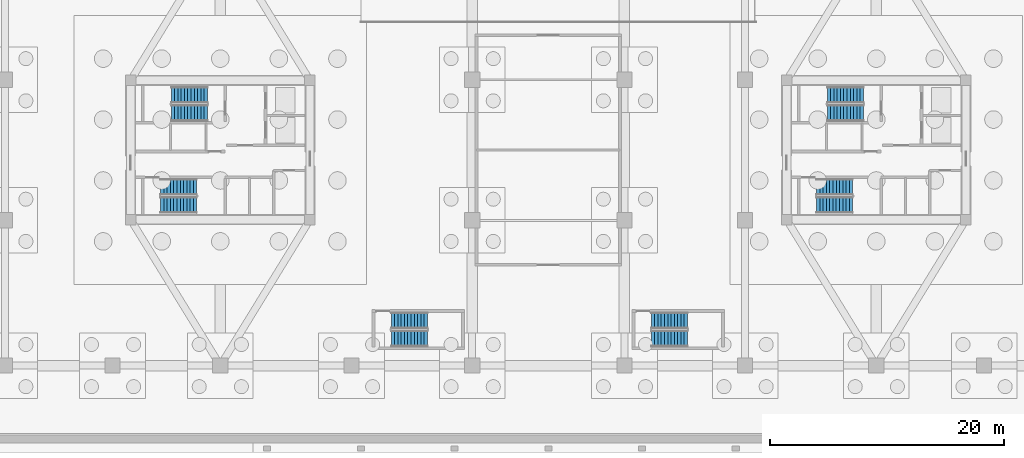
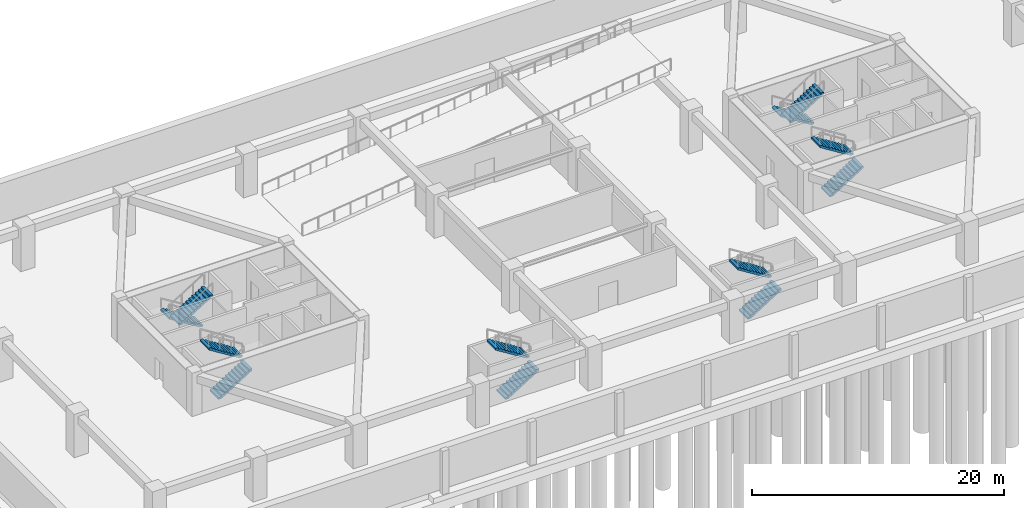
# One storey, part 9 of 14: 12 stair flights, 6 elements without a shape of their own.
"""IFC4 building model written with IfcOpenShell, lengths in metres."""

from ifc_helpers import new_model, si_unit, direction, frame, origin, place, context, subcontext, project, spatial, polyline, outline, extrude, material, type_object, element, aggregate, save


model = new_model("IFC4")

# Units and contexts
model_context = context("Model", 3, precision=1e-05, world=origin(), true_north=direction((0.0, 1.0)))
body_context = subcontext(model_context, "Body", "Model", "MODEL_VIEW")
ifc_project = project(units=[si_unit("LENGTHUNIT", "METRE"), si_unit("AREAUNIT", "SQUARE_METRE"), si_unit("VOLUMEUNIT", "CUBIC_METRE"), si_unit("PLANEANGLEUNIT", "RADIAN"), si_unit("MASSUNIT", "GRAM", prefix="KILO")], contexts=[model_context])

# Site, building, storey
site_placement = place(None, origin())
site = spatial("IfcSite", under=ifc_project, at=site_placement, CompositionType="ELEMENT")
building_placement = place(site_placement, origin())
building = spatial("IfcBuilding", under=site, at=building_placement, Name="Norrkilde Senior Care Towers", CompositionType="ELEMENT")
storey_placement = place(building_placement, frame((0.0, 0.0, -8.39990234375)))
storey = spatial("IfcBuildingStorey", under=building, at=storey_placement, Name="B2", CompositionType="ELEMENT", Elevation=-8.39990234375)

# Stair, stair flights
ifc_material = material(Name="Concrete C45/55", Category="concrete")
stair_type = type_object("IfcStairType", Name="Core Protected Dogleg Stair Podium 4200", PredefinedType="HALF_TURN_STAIR", material=ifc_material)
stair_1_placement = place(storey_placement, origin())
stair_1 = element("IfcStair", 1, at=stair_1_placement, inside=storey, type_object=stair_type, Name="B2 Protected Core Stair W1", PredefinedType="HALF_TURN_STAIR")
stair_flight_type = type_object("IfcStairFlightType", Name="Core Protected Dogleg Stair Podium 4200 Flight", PredefinedType="STRAIGHT", material=ifc_material)
stair_flight_1_placement = place(storey_placement, frame((-29.10009765625, 4.699951171875, 0.0), z_axis=(0.0, 0.0, 1.0), x_axis=(-1.0, 0.0, 0.0)))
stair_flight_1 = element("IfcStairFlight", 2, at=stair_flight_1_placement, type_object=stair_flight_type, Name="ST-W1 flight 1", NumberOfRisers=12, NumberOfTreads=11, PredefinedType="STRAIGHT", RiserHeight=0.175, TreadLength=0.28, context=body_context, shape_type="SweptSolid", body=[
    extrude(outline(polyline([(0.0, 0.0), (0.0, 0.175048828125), (0.280029296875, 0.175048828125), (0.280029296875, 0.35009765625), (0.56005859375, 0.35009765625), (0.56005859375, 0.52490234375), (0.840087890625, 0.52490234375), (0.840087890625, 0.699951171875), (1.1201171875, 0.699951171875), (1.1201171875, 0.875), (1.39990234375, 0.875), (1.39990234375, 1.050048828125), (1.679931640625, 1.050048828125), (1.679931640625, 1.22509765625), (1.9599609375, 1.22509765625), (1.9599609375, 1.39990234375), (2.239990234375, 1.39990234375), (2.239990234375, 1.574951171875), (2.52001953125, 1.574951171875), (2.52001953125, 1.75), (2.800048828125, 1.75), (2.800048828125, 1.925048828125), (3.080078125, 1.925048828125), (3.080078125, 2.10009765625), (3.080078125, 1.748291015625), (0.28271484375, 0.0), (0.0, 0.0)])), frame((0.0, 0.699951171875, 0.0), z_axis=(0.0, -1.0, 0.0), x_axis=(1.0, 0.0, 0.0)), (0.0, 0.0, 1.0), 1.39990234375),
])
stair_flight_2_placement = place(storey_placement, frame((-32.179931640625, 3.14990234375, 2.099853515625), z_axis=(0.0, 0.0, 1.0), x_axis=(1.0, 0.0, 0.0)))
stair_flight_2 = element("IfcStairFlight", 3, at=stair_flight_2_placement, type_object=stair_flight_type, Name="ST-W1 flight 2", NumberOfRisers=12, NumberOfTreads=11, PredefinedType="STRAIGHT", RiserHeight=0.175, TreadLength=0.28, context=body_context, shape_type="SweptSolid", body=[
    extrude(outline(polyline([(0.0, 0.0), (0.0, 0.175048828125), (0.280029296875, 0.175048828125), (0.280029296875, 0.35009765625), (0.56005859375, 0.35009765625), (0.56005859375, 0.52490234375), (0.840087890625, 0.52490234375), (0.840087890625, 0.699951171875), (1.1201171875, 0.699951171875), (1.1201171875, 0.875), (1.39990234375, 0.875), (1.39990234375, 1.050048828125), (1.679931640625, 1.050048828125), (1.679931640625, 1.22509765625), (1.9599609375, 1.22509765625), (1.9599609375, 1.39990234375), (2.239990234375, 1.39990234375), (2.239990234375, 1.574951171875), (2.52001953125, 1.574951171875), (2.52001953125, 1.75), (2.800048828125, 1.75), (2.800048828125, 1.925048828125), (3.080078125, 1.925048828125), (3.080078125, 2.10009765625), (3.080078125, 1.748291015625), (0.28271484375, 0.0), (0.0, 0.0)])), frame((0.0, 0.699951171875, 0.0), z_axis=(0.0, -1.0, 0.0), x_axis=(1.0, 0.0, 0.0)), (0.0, 0.0, 1.0), 1.39990234375),
])
aggregate(stair_1, [stair_flight_1, stair_flight_2])

stair_2_placement = place(storey_placement, origin())
stair_2 = element("IfcStair", 4, at=stair_2_placement, inside=storey, type_object=stair_type, Name="B2 Protected Core Stair W2", PredefinedType="HALF_TURN_STAIR")
stair_flight_3_placement = place(storey_placement, frame((-33.10009765625, -4.699951171875, 0.0), z_axis=(0.0, 0.0, 1.0), x_axis=(1.0, 0.0, 0.0)))
stair_flight_3 = element("IfcStairFlight", 5, at=stair_flight_3_placement, type_object=stair_flight_type, Name="ST-W2 flight 1", NumberOfRisers=12, NumberOfTreads=11, PredefinedType="STRAIGHT", RiserHeight=0.175, TreadLength=0.28, context=body_context, shape_type="SweptSolid", body=[
    extrude(outline(polyline([(0.0, 0.0), (0.0, 0.175048828125), (0.280029296875, 0.175048828125), (0.280029296875, 0.35009765625), (0.56005859375, 0.35009765625), (0.56005859375, 0.52490234375), (0.840087890625, 0.52490234375), (0.840087890625, 0.699951171875), (1.1201171875, 0.699951171875), (1.1201171875, 0.875), (1.39990234375, 0.875), (1.39990234375, 1.050048828125), (1.679931640625, 1.050048828125), (1.679931640625, 1.22509765625), (1.9599609375, 1.22509765625), (1.9599609375, 1.39990234375), (2.239990234375, 1.39990234375), (2.239990234375, 1.574951171875), (2.52001953125, 1.574951171875), (2.52001953125, 1.75), (2.800048828125, 1.75), (2.800048828125, 1.925048828125), (3.080078125, 1.925048828125), (3.080078125, 2.10009765625), (3.080078125, 1.748291015625), (0.28271484375, 0.0), (0.0, 0.0)])), frame((0.0, 0.699951171875, 0.0), z_axis=(0.0, -1.0, 0.0), x_axis=(1.0, 0.0, 0.0)), (0.0, 0.0, 1.0), 1.39990234375),
])
stair_flight_4_placement = place(storey_placement, frame((-30.02001953125, -3.14990234375, 2.099853515625), z_axis=(0.0, 0.0, 1.0), x_axis=(-1.0, 0.0, 0.0)))
stair_flight_4 = element("IfcStairFlight", 6, at=stair_flight_4_placement, type_object=stair_flight_type, Name="ST-W2 flight 2", NumberOfRisers=12, NumberOfTreads=11, PredefinedType="STRAIGHT", RiserHeight=0.175, TreadLength=0.28, context=body_context, shape_type="SweptSolid", body=[
    extrude(outline(polyline([(0.0, 0.0), (0.0, 0.175048828125), (0.280029296875, 0.175048828125), (0.280029296875, 0.35009765625), (0.56005859375, 0.35009765625), (0.56005859375, 0.52490234375), (0.840087890625, 0.52490234375), (0.840087890625, 0.699951171875), (1.1201171875, 0.699951171875), (1.1201171875, 0.875), (1.39990234375, 0.875), (1.39990234375, 1.050048828125), (1.679931640625, 1.050048828125), (1.679931640625, 1.22509765625), (1.9599609375, 1.22509765625), (1.9599609375, 1.39990234375), (2.239990234375, 1.39990234375), (2.239990234375, 1.574951171875), (2.52001953125, 1.574951171875), (2.52001953125, 1.75), (2.800048828125, 1.75), (2.800048828125, 1.925048828125), (3.080078125, 1.925048828125), (3.080078125, 2.10009765625), (3.080078125, 1.748291015625), (0.28271484375, 0.0), (0.0, 0.0)])), frame((0.0, 0.699951171875, 0.0), z_axis=(0.0, -1.0, 0.0), x_axis=(1.0, 0.0, 0.0)), (0.0, 0.0, 1.0), 1.39990234375),
])
aggregate(stair_2, [stair_flight_3, stair_flight_4])

stair_3_placement = place(storey_placement, origin())
stair_3 = element("IfcStair", 7, at=stair_3_placement, inside=storey, type_object=stair_type, Name="B2 Protected Core Stair E1", PredefinedType="HALF_TURN_STAIR")
stair_flight_5_placement = place(storey_placement, frame((26.89990234375, 4.699951171875, 0.0), z_axis=(0.0, 0.0, 1.0), x_axis=(-1.0, 0.0, 0.0)))
stair_flight_5 = element("IfcStairFlight", 8, at=stair_flight_5_placement, type_object=stair_flight_type, Name="ST-E1 flight 1", NumberOfRisers=12, NumberOfTreads=11, PredefinedType="STRAIGHT", RiserHeight=0.175, TreadLength=0.28, context=body_context, shape_type="SweptSolid", body=[
    extrude(outline(polyline([(0.0, 0.0), (0.0, 0.175048828125), (0.280029296875, 0.175048828125), (0.280029296875, 0.35009765625), (0.56005859375, 0.35009765625), (0.56005859375, 0.52490234375), (0.840087890625, 0.52490234375), (0.840087890625, 0.699951171875), (1.1201171875, 0.699951171875), (1.1201171875, 0.875), (1.39990234375, 0.875), (1.39990234375, 1.050048828125), (1.679931640625, 1.050048828125), (1.679931640625, 1.22509765625), (1.9599609375, 1.22509765625), (1.9599609375, 1.39990234375), (2.239990234375, 1.39990234375), (2.239990234375, 1.574951171875), (2.52001953125, 1.574951171875), (2.52001953125, 1.75), (2.800048828125, 1.75), (2.800048828125, 1.925048828125), (3.080078125, 1.925048828125), (3.080078125, 2.10009765625), (3.080078125, 1.748291015625), (0.28271484375, 0.0), (0.0, 0.0)])), frame((0.0, 0.699951171875, 0.0), z_axis=(0.0, -1.0, 0.0), x_axis=(1.0, 0.0, 0.0)), (0.0, 0.0, 1.0), 1.39990234375),
])
stair_flight_6_placement = place(storey_placement, frame((23.820068359375, 3.14990234375, 2.099853515625), z_axis=(0.0, 0.0, 1.0), x_axis=(1.0, 0.0, 0.0)))
stair_flight_6 = element("IfcStairFlight", 9, at=stair_flight_6_placement, type_object=stair_flight_type, Name="ST-E1 flight 2", NumberOfRisers=12, NumberOfTreads=11, PredefinedType="STRAIGHT", RiserHeight=0.175, TreadLength=0.28, context=body_context, shape_type="SweptSolid", body=[
    extrude(outline(polyline([(0.0, 0.0), (0.0, 0.175048828125), (0.280029296875, 0.175048828125), (0.280029296875, 0.35009765625), (0.56005859375, 0.35009765625), (0.56005859375, 0.52490234375), (0.840087890625, 0.52490234375), (0.840087890625, 0.699951171875), (1.1201171875, 0.699951171875), (1.1201171875, 0.875), (1.39990234375, 0.875), (1.39990234375, 1.050048828125), (1.679931640625, 1.050048828125), (1.679931640625, 1.22509765625), (1.9599609375, 1.22509765625), (1.9599609375, 1.39990234375), (2.239990234375, 1.39990234375), (2.239990234375, 1.574951171875), (2.52001953125, 1.574951171875), (2.52001953125, 1.75), (2.800048828125, 1.75), (2.800048828125, 1.925048828125), (3.080078125, 1.925048828125), (3.080078125, 2.10009765625), (3.080078125, 1.748291015625), (0.28271484375, 0.0), (0.0, 0.0)])), frame((0.0, 0.699951171875, 0.0), z_axis=(0.0, -1.0, 0.0), x_axis=(1.0, 0.0, 0.0)), (0.0, 0.0, 1.0), 1.39990234375),
])
aggregate(stair_3, [stair_flight_5, stair_flight_6])

stair_4_placement = place(storey_placement, origin())
stair_4 = element("IfcStair", 10, at=stair_4_placement, inside=storey, type_object=stair_type, Name="B2 Protected Core Stair E2", PredefinedType="HALF_TURN_STAIR")
stair_flight_7_placement = place(storey_placement, frame((22.89990234375, -4.699951171875, 0.0), z_axis=(0.0, 0.0, 1.0), x_axis=(1.0, 0.0, 0.0)))
stair_flight_7 = element("IfcStairFlight", 11, at=stair_flight_7_placement, type_object=stair_flight_type, Name="ST-E2 flight 1", NumberOfRisers=12, NumberOfTreads=11, PredefinedType="STRAIGHT", RiserHeight=0.175, TreadLength=0.28, context=body_context, shape_type="SweptSolid", body=[
    extrude(outline(polyline([(0.0, 0.0), (0.0, 0.175048828125), (0.280029296875, 0.175048828125), (0.280029296875, 0.35009765625), (0.56005859375, 0.35009765625), (0.56005859375, 0.52490234375), (0.840087890625, 0.52490234375), (0.840087890625, 0.699951171875), (1.1201171875, 0.699951171875), (1.1201171875, 0.875), (1.39990234375, 0.875), (1.39990234375, 1.050048828125), (1.679931640625, 1.050048828125), (1.679931640625, 1.22509765625), (1.9599609375, 1.22509765625), (1.9599609375, 1.39990234375), (2.239990234375, 1.39990234375), (2.239990234375, 1.574951171875), (2.52001953125, 1.574951171875), (2.52001953125, 1.75), (2.800048828125, 1.75), (2.800048828125, 1.925048828125), (3.080078125, 1.925048828125), (3.080078125, 2.10009765625), (3.080078125, 1.748291015625), (0.28271484375, 0.0), (0.0, 0.0)])), frame((0.0, 0.699951171875, 0.0), z_axis=(0.0, -1.0, 0.0), x_axis=(1.0, 0.0, 0.0)), (0.0, 0.0, 1.0), 1.39990234375),
])
stair_flight_8_placement = place(storey_placement, frame((25.97998046875, -3.14990234375, 2.099853515625), z_axis=(0.0, 0.0, 1.0), x_axis=(-1.0, 0.0, 0.0)))
stair_flight_8 = element("IfcStairFlight", 12, at=stair_flight_8_placement, type_object=stair_flight_type, Name="ST-E2 flight 2", NumberOfRisers=12, NumberOfTreads=11, PredefinedType="STRAIGHT", RiserHeight=0.175, TreadLength=0.28, context=body_context, shape_type="SweptSolid", body=[
    extrude(outline(polyline([(0.0, 0.0), (0.0, 0.175048828125), (0.280029296875, 0.175048828125), (0.280029296875, 0.35009765625), (0.56005859375, 0.35009765625), (0.56005859375, 0.52490234375), (0.840087890625, 0.52490234375), (0.840087890625, 0.699951171875), (1.1201171875, 0.699951171875), (1.1201171875, 0.875), (1.39990234375, 0.875), (1.39990234375, 1.050048828125), (1.679931640625, 1.050048828125), (1.679931640625, 1.22509765625), (1.9599609375, 1.22509765625), (1.9599609375, 1.39990234375), (2.239990234375, 1.39990234375), (2.239990234375, 1.574951171875), (2.52001953125, 1.574951171875), (2.52001953125, 1.75), (2.800048828125, 1.75), (2.800048828125, 1.925048828125), (3.080078125, 1.925048828125), (3.080078125, 2.10009765625), (3.080078125, 1.748291015625), (0.28271484375, 0.0), (0.0, 0.0)])), frame((0.0, 0.699951171875, 0.0), z_axis=(0.0, -1.0, 0.0), x_axis=(1.0, 0.0, 0.0)), (0.0, 0.0, 1.0), 1.39990234375),
])
aggregate(stair_4, [stair_flight_7, stair_flight_8])

stair_5_placement = place(storey_placement, origin())
stair_5 = element("IfcStair", 13, at=stair_5_placement, inside=storey, type_object=stair_type, Name="B2 Podium Clinic Exit Stair P1", PredefinedType="HALF_TURN_STAIR")
stair_flight_9_placement = place(storey_placement, frame((-13.39990234375, -16.10009765625, 0.0), z_axis=(0.0, 0.0, 1.0), x_axis=(1.0, 0.0, 0.0)))
stair_flight_9 = element("IfcStairFlight", 14, at=stair_flight_9_placement, type_object=stair_flight_type, Name="ST-P1 flight 1", NumberOfRisers=12, NumberOfTreads=11, PredefinedType="STRAIGHT", RiserHeight=0.175, TreadLength=0.28, context=body_context, shape_type="SweptSolid", body=[
    extrude(outline(polyline([(0.0, 0.0), (0.0, 0.175048828125), (0.280029296875, 0.175048828125), (0.280029296875, 0.35009765625), (0.56005859375, 0.35009765625), (0.56005859375, 0.52490234375), (0.840087890625, 0.52490234375), (0.840087890625, 0.699951171875), (1.1201171875, 0.699951171875), (1.1201171875, 0.875), (1.39990234375, 0.875), (1.39990234375, 1.050048828125), (1.679931640625, 1.050048828125), (1.679931640625, 1.22509765625), (1.9599609375, 1.22509765625), (1.9599609375, 1.39990234375), (2.239990234375, 1.39990234375), (2.239990234375, 1.574951171875), (2.52001953125, 1.574951171875), (2.52001953125, 1.75), (2.800048828125, 1.75), (2.800048828125, 1.925048828125), (3.080078125, 1.925048828125), (3.080078125, 2.10009765625), (3.080078125, 1.748291015625), (0.28271484375, 0.0), (0.0, 0.0)])), frame((0.0, 0.699951171875, 0.0), z_axis=(0.0, -1.0, 0.0), x_axis=(1.0, 0.0, 0.0)), (0.0, 0.0, 1.0), 1.39990234375),
])
stair_flight_10_placement = place(storey_placement, frame((-10.320068359375, -14.550048828125, 2.099853515625), z_axis=(0.0, 0.0, 1.0), x_axis=(-1.0, 0.0, 0.0)))
stair_flight_10 = element("IfcStairFlight", 15, at=stair_flight_10_placement, type_object=stair_flight_type, Name="ST-P1 flight 2", NumberOfRisers=12, NumberOfTreads=11, PredefinedType="STRAIGHT", RiserHeight=0.175, TreadLength=0.28, context=body_context, shape_type="SweptSolid", body=[
    extrude(outline(polyline([(0.0, 0.0), (0.0, 0.175048828125), (0.280029296875, 0.175048828125), (0.280029296875, 0.35009765625), (0.56005859375, 0.35009765625), (0.56005859375, 0.52490234375), (0.840087890625, 0.52490234375), (0.840087890625, 0.699951171875), (1.1201171875, 0.699951171875), (1.1201171875, 0.875), (1.39990234375, 0.875), (1.39990234375, 1.050048828125), (1.679931640625, 1.050048828125), (1.679931640625, 1.22509765625), (1.9599609375, 1.22509765625), (1.9599609375, 1.39990234375), (2.239990234375, 1.39990234375), (2.239990234375, 1.574951171875), (2.52001953125, 1.574951171875), (2.52001953125, 1.75), (2.800048828125, 1.75), (2.800048828125, 1.925048828125), (3.080078125, 1.925048828125), (3.080078125, 2.10009765625), (3.080078125, 1.748291015625), (0.28271484375, 0.0), (0.0, 0.0)])), frame((0.0, 0.699951171875, 0.0), z_axis=(0.0, -1.0, 0.0), x_axis=(1.0, 0.0, 0.0)), (0.0, 0.0, 1.0), 1.39990234375),
])
aggregate(stair_5, [stair_flight_9, stair_flight_10])

stair_6_placement = place(storey_placement, origin())
stair_6 = element("IfcStair", 16, at=stair_6_placement, inside=storey, type_object=stair_type, Name="B2 Podium Clinic Exit Stair P2", PredefinedType="HALF_TURN_STAIR")
stair_flight_11_placement = place(storey_placement, frame((8.800048828125, -16.10009765625, 0.0), z_axis=(0.0, 0.0, 1.0), x_axis=(1.0, 0.0, 0.0)))
stair_flight_11 = element("IfcStairFlight", 17, at=stair_flight_11_placement, type_object=stair_flight_type, Name="ST-P2 flight 1", NumberOfRisers=12, NumberOfTreads=11, PredefinedType="STRAIGHT", RiserHeight=0.175, TreadLength=0.28, context=body_context, shape_type="SweptSolid", body=[
    extrude(outline(polyline([(0.0, 0.0), (0.0, 0.175048828125), (0.280029296875, 0.175048828125), (0.280029296875, 0.35009765625), (0.56005859375, 0.35009765625), (0.56005859375, 0.52490234375), (0.840087890625, 0.52490234375), (0.840087890625, 0.699951171875), (1.1201171875, 0.699951171875), (1.1201171875, 0.875), (1.39990234375, 0.875), (1.39990234375, 1.050048828125), (1.679931640625, 1.050048828125), (1.679931640625, 1.22509765625), (1.9599609375, 1.22509765625), (1.9599609375, 1.39990234375), (2.239990234375, 1.39990234375), (2.239990234375, 1.574951171875), (2.52001953125, 1.574951171875), (2.52001953125, 1.75), (2.800048828125, 1.75), (2.800048828125, 1.925048828125), (3.080078125, 1.925048828125), (3.080078125, 2.10009765625), (3.080078125, 1.748291015625), (0.28271484375, 0.0), (0.0, 0.0)])), frame((0.0, 0.699951171875, 0.0), z_axis=(0.0, -1.0, 0.0), x_axis=(1.0, 0.0, 0.0)), (0.0, 0.0, 1.0), 1.39990234375),
])
stair_flight_12_placement = place(storey_placement, frame((11.8798828125, -14.550048828125, 2.099853515625), z_axis=(0.0, 0.0, 1.0), x_axis=(-1.0, 0.0, 0.0)))
stair_flight_12 = element("IfcStairFlight", 18, at=stair_flight_12_placement, type_object=stair_flight_type, Name="ST-P2 flight 2", NumberOfRisers=12, NumberOfTreads=11, PredefinedType="STRAIGHT", RiserHeight=0.175, TreadLength=0.28, context=body_context, shape_type="SweptSolid", body=[
    extrude(outline(polyline([(0.0, 0.0), (0.0, 0.175048828125), (0.280029296875, 0.175048828125), (0.280029296875, 0.35009765625), (0.56005859375, 0.35009765625), (0.56005859375, 0.52490234375), (0.840087890625, 0.52490234375), (0.840087890625, 0.699951171875), (1.1201171875, 0.699951171875), (1.1201171875, 0.875), (1.39990234375, 0.875), (1.39990234375, 1.050048828125), (1.679931640625, 1.050048828125), (1.679931640625, 1.22509765625), (1.9599609375, 1.22509765625), (1.9599609375, 1.39990234375), (2.239990234375, 1.39990234375), (2.239990234375, 1.574951171875), (2.52001953125, 1.574951171875), (2.52001953125, 1.75), (2.800048828125, 1.75), (2.800048828125, 1.925048828125), (3.080078125, 1.925048828125), (3.080078125, 2.10009765625), (3.080078125, 1.748291015625), (0.28271484375, 0.0), (0.0, 0.0)])), frame((0.0, 0.699951171875, 0.0), z_axis=(0.0, -1.0, 0.0), x_axis=(1.0, 0.0, 0.0)), (0.0, 0.0, 1.0), 1.39990234375),
])
aggregate(stair_6, [stair_flight_11, stair_flight_12])

save(model, "model.ifc")
